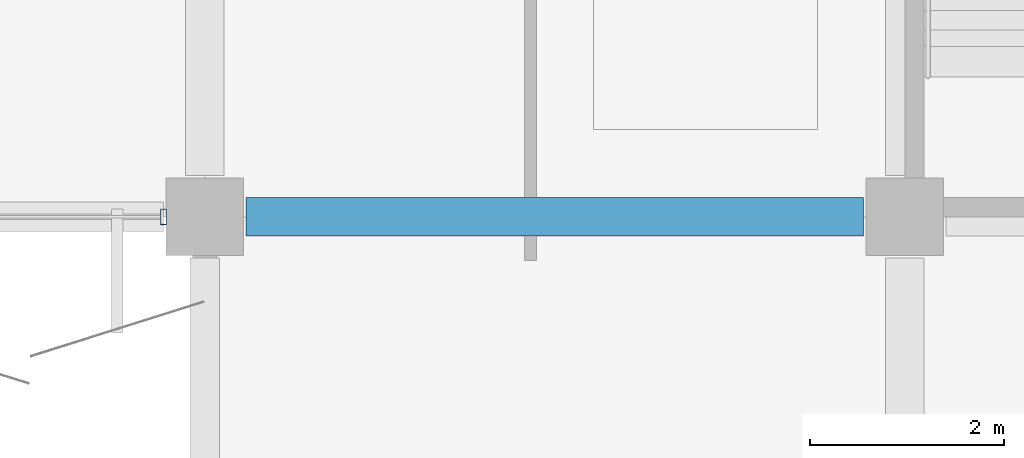
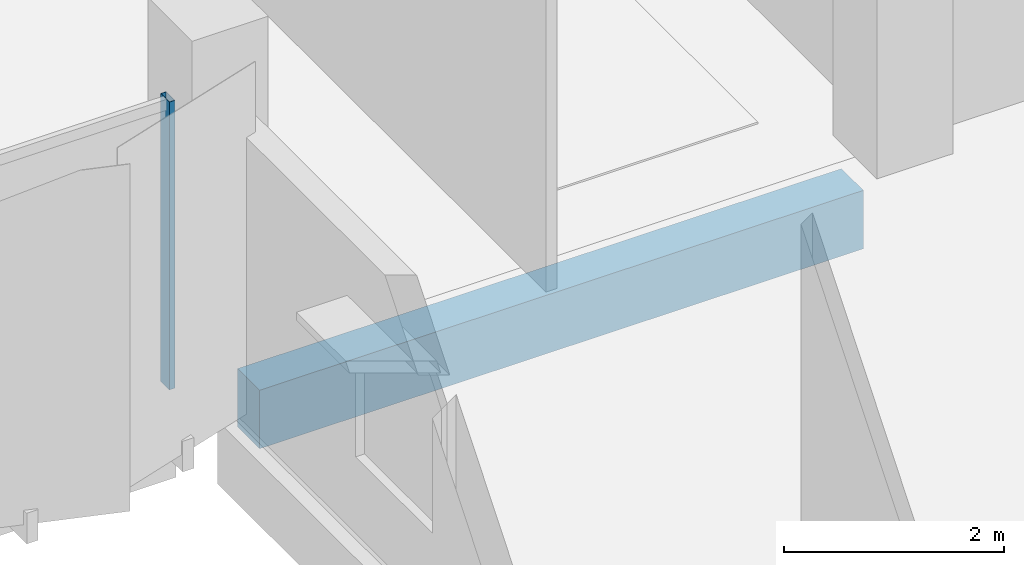
# One storey, part 62 of 107: 1 beam, 1 member, 1 element without a shape of its own.
"""IFC4 building model written with IfcOpenShell, lengths in metres."""

from ifc_helpers import new_model, si_unit, direction, frame, origin, origin_2d, place, context, subcontext, project, spatial, rectangle, hollow_rectangle, extrude, material, layer, layer_set, material_profile, profile_set, type_object, element, aggregate, save


model = new_model("IFC4")

# Units and contexts
model_context = context("Model", 3, precision=1e-05, world=origin(), true_north=direction((0.0, 1.0)))
body_context = subcontext(model_context, "Body", "Model", "MODEL_VIEW")
ifc_project = project(units=[si_unit("LENGTHUNIT", "METRE"), si_unit("AREAUNIT", "SQUARE_METRE"), si_unit("VOLUMEUNIT", "CUBIC_METRE"), si_unit("PLANEANGLEUNIT", "RADIAN"), si_unit("MASSUNIT", "GRAM", prefix="KILO")], contexts=[model_context])

# Site, building, storey
site_placement = place(None, origin())
site = spatial("IfcSite", under=ifc_project, at=site_placement, CompositionType="ELEMENT")
building_placement = place(site_placement, origin())
building = spatial("IfcBuilding", under=site, at=building_placement, Name="Kangsadwip Square Police Headquarters", CompositionType="ELEMENT")
storey_placement = place(building_placement, frame((0.0, 0.0, 5.39990234375)))
storey = spatial("IfcBuildingStorey", under=building, at=storey_placement, Name="L01", CompositionType="ELEMENT", Elevation=5.39990234375)

# Curtain wall, member
ifc_material_1 = material(Name="Thermally broken anodised aluminium AW-6063-T6", Category="aluminium")
ifc_layer = layer(ifc_material_1, 0.159912109375)
ifc_layer_set = layer_set([ifc_layer], Name="Thermally broken anodised aluminium AW-6063-T6")
curtain_wall_type = type_object("IfcCurtainWallType", Name="CourtScreen6460x3200", PredefinedType="USERDEFINED", material=ifc_layer_set)
curtain_wall_placement = place(storey_placement, origin())
curtain_wall = element("IfcCurtainWall", 1, at=curtain_wall_placement, inside=storey, type_object=curtain_wall_type, Name="Curtain Wall CW-L01-1371-0936", ObjectType="GLAZED_SCREEN", PredefinedType="USERDEFINED")
ifc_material_2 = material(Name="Thermally broken anodised aluminium AW-6063-T6", Category="aluminium")
ifc_material_profile_1 = material_profile(ifc_material_2, hollow_rectangle(XDim=0.06005859375, YDim=0.159912109375, WallThickness=0.00390625, at=origin_2d()), Name="CWM 160X60X4")
ifc_profile_set_1 = profile_set([ifc_material_profile_1], Name="Thermally broken anodised aluminium AW-6063-T6")
member_type = type_object("IfcMemberType", Name="CwMullion135x60", PredefinedType="MULLION", material=ifc_profile_set_1)
member_placement = place(storey_placement, frame((143.574951171875, 93.60009765625, 0.0), z_axis=(0.0, 0.0, 1.0), x_axis=(1.0, 0.0, 0.0)))
member = element("IfcMember", 2, at=member_placement, type_object=member_type, Name="CW-16 mullion 2", PredefinedType="MULLION", context=body_context, shape_type="SweptSolid", body=[
    extrude(hollow_rectangle(XDim=0.06005859375, YDim=0.159912109375, WallThickness=0.00390625, at=origin_2d()), origin(), (0.0, 0.0, 1.0), 3.2001953125),
])
aggregate(curtain_wall, [member])

# Beam
ifc_material_3 = material(Name="Concrete M35 (35 MPa)", Category="concrete")
ifc_material_profile_2 = material_profile(ifc_material_3, rectangle(XDim=0.39990234375, YDim=0.64990234375, at=origin_2d()), Name="RC BM 650X400")
ifc_profile_set_2 = profile_set([ifc_material_profile_2], Name="Concrete M35 (35 MPa)")
beam_type = type_object("IfcBeamType", Name="RcBeam650x400", PredefinedType="BEAM", material=ifc_profile_set_2)
beam_placement = place(storey_placement, frame((144.425048828125, 93.60009765625, -0.56494140625), z_axis=(1.0, 0.0, 0.0), x_axis=(0.0, 1.0, 0.0)))
element("IfcBeam", 3, at=beam_placement, inside=storey, type_object=beam_type, Name="Beam BM-L01-X-20-13", PredefinedType="BEAM", context=body_context, shape_type="SweptSolid", body=[
    extrude(rectangle(XDim=0.39990234375, YDim=0.64990234375, at=origin_2d()), origin(), (0.0, 0.0, 1.0), 6.349853515625),
])

save(model, "model.ifc")
